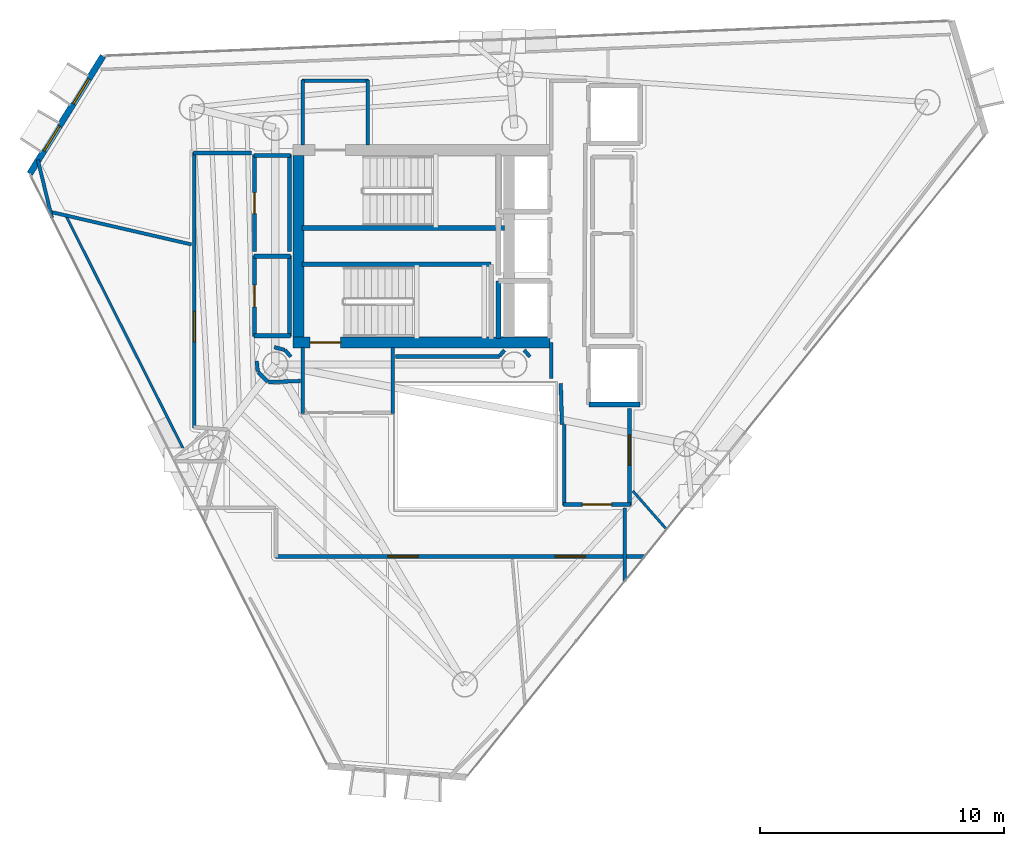
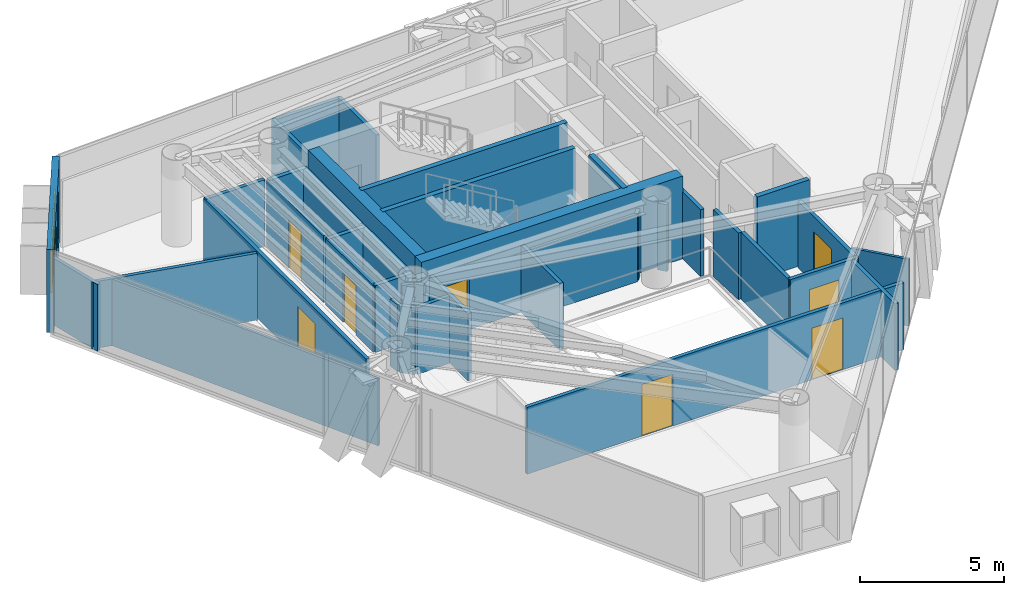
# One storey, part 15 of 19: 40 walls, 8 doors, 2 windows, 10 openings.
"""IFC4 building model written with IfcOpenShell, lengths in metres."""

from ifc_helpers import new_model, si_unit, direction, frame, frame_2d, origin, place, context, subcontext, project, spatial, rectangle, extrude, material, layer, layer_set, type_object, element, fill, save


model = new_model("IFC4")

# Units and contexts
model_context = context("Model", 3, precision=1e-05, world=origin(), true_north=direction((0.0, 1.0)))
body_context = subcontext(model_context, "Body", "Model", "MODEL_VIEW")
ifc_project = project(units=[si_unit("LENGTHUNIT", "METRE"), si_unit("AREAUNIT", "SQUARE_METRE"), si_unit("VOLUMEUNIT", "CUBIC_METRE"), si_unit("PLANEANGLEUNIT", "RADIAN"), si_unit("MASSUNIT", "GRAM", prefix="KILO")], contexts=[model_context])

# Site, building, storey
site_placement = place(None, origin())
site = spatial("IfcSite", under=ifc_project, at=site_placement, CompositionType="ELEMENT")
building_placement = place(site_placement, origin())
building = spatial("IfcBuilding", under=site, at=building_placement, Name="Qianvela Tower", CompositionType="ELEMENT")
storey_placement = place(building_placement, frame((0.0, 0.0, 261.199951171875)))
storey = spatial("IfcBuildingStorey", under=building, at=storey_placement, Name="L67", CompositionType="ELEMENT", Elevation=261.199951171875)

# Wall, openings, windows
ifc_material_1 = material(Name="Terracotta Cladding on Concrete C40", Category="masonry")
ifc_layer_1 = layer(ifc_material_1, 0.260009765625)
ifc_layer_set_1 = layer_set([ifc_layer_1], Name="Terracotta Cladding on Concrete C40")
wall_type_1 = type_object("IfcWallType", Name="TERRACOTTA-WALL-260", PredefinedType="SOLIDWALL", material=ifc_layer_set_1)
wall_1_placement = place(storey_placement, frame((21.539306640625, 36.49755859375, 0.0), z_axis=(0.0, 0.0, 1.0), x_axis=(-0.528341791273, -0.849031773018, 0.0)))
wall_1 = element("IfcWall", 1, at=wall_1_placement, inside=storey, type_object=wall_type_1, Name="L67 Terracotta Chamfer Facet Wall 3", PredefinedType="SOLIDWALL", context=body_context, shape_type="SweptSolid", body=[
    extrude(rectangle(XDim=5.6845703125, YDim=0.260009765625, at=frame_2d((2.84228515625, 0.0))), origin(), (0.0, 0.0, 1.0), 3.52001953125),
])
opening_1_placement = place(wall_1_placement, frame((1.10546875, 0.0, 0.89990234375)))
opening_1 = element("IfcOpeningElement", 2, at=opening_1_placement, cuts=wall_1, Name="Opening W-03", PredefinedType="OPENING", context=body_context, shape_type="SweptSolid", body=[
    extrude(rectangle(XDim=1.199951171875, YDim=2.0, at=frame_2d((0.60009765625, 1.0))), frame((0.0, 0.139892578125, 0.0), z_axis=(0.0, -1.0, 0.0), x_axis=(1.0, 0.0, 0.0)), (0.0, 0.0, 1.0), 0.280029296875),
])
opening_2_placement = place(wall_1_placement, frame((3.37939453125, 0.0, 0.89990234375)))
opening_2 = element("IfcOpeningElement", 3, at=opening_2_placement, cuts=wall_1, Name="Opening W-03", PredefinedType="OPENING", context=body_context, shape_type="SweptSolid", body=[
    extrude(rectangle(XDim=1.199951171875, YDim=2.0, at=frame_2d((0.60009765625, 1.0))), frame((0.0, 0.139892578125, 0.0), z_axis=(0.0, -1.0, 0.0), x_axis=(1.0, 0.0, 0.0)), (0.0, 0.0, 1.0), 0.280029296875),
])
ifc_material_2 = material(Name="Thermally Broken Aluminium and Low-E Glass", Category="aluminium")
window_type = type_object("IfcWindowType", Name="WIN-TC-1200x2000", PartitioningType="SINGLE_PANEL", PredefinedType="WINDOW", material=ifc_material_2)
window_1_placement = place(opening_1_placement, origin())
window_1 = element("IfcWindow", 4, at=window_1_placement, inside=storey, type_object=window_type, Name="L67 Chamfer Facet Window 3.1", OverallHeight=2.0, OverallWidth=1.199951171875, PartitioningType="SINGLE_PANEL", PredefinedType="WINDOW", context=body_context, shape_type="SweptSolid", body=[
    extrude(rectangle(XDim=1.199951171875, YDim=2.0, at=frame_2d((0.60009765625, 1.0))), frame((0.0, 0.030029296875, 0.0), z_axis=(0.0, -1.0, 0.0), x_axis=(1.0, 0.0, 0.0)), (0.0, 0.0, 1.0), 0.06005859375),
])
fill(opening_1, window_1)
window_2_placement = place(opening_2_placement, origin())
window_2 = element("IfcWindow", 5, at=window_2_placement, inside=storey, type_object=window_type, Name="L67 Chamfer Facet Window 3.2", OverallHeight=2.0, OverallWidth=1.199951171875, PartitioningType="SINGLE_PANEL", PredefinedType="WINDOW", context=body_context, shape_type="SweptSolid", body=[
    extrude(rectangle(XDim=1.199951171875, YDim=2.0, at=frame_2d((0.60009765625, 1.0))), frame((0.0, 0.030029296875, 0.0), z_axis=(0.0, -1.0, 0.0), x_axis=(1.0, 0.0, 0.0)), (0.0, 0.0, 1.0), 0.06005859375),
])
fill(opening_2, window_2)

# Wall, opening, door
ifc_material_3 = material(Name="Concrete C50", Category="concrete")
ifc_layer_2 = layer(ifc_material_3, 0.449951171875)
ifc_layer_set_2 = layer_set([ifc_layer_2], Name="Concrete C50")
wall_type_2 = type_object("IfcWallType", Name="WT-CORE-450", PredefinedType="SHEAR", material=ifc_layer_set_2)
wall_2_placement = place(storey_placement, frame((29.330078125, 24.7548828125, 0.0), z_axis=(0.0, 0.0, 1.0), x_axis=(1.0, 0.0, 0.0)))
wall_2 = element("IfcWall", 6, at=wall_2_placement, inside=storey, type_object=wall_type_2, Name="L67 South Core Shear Wall", PredefinedType="SHEAR", context=body_context, shape_type="SweptSolid", body=[
    extrude(rectangle(XDim=10.52001953125, YDim=0.449951171875, at=frame_2d((5.260009765625, 0.0))), origin(), (0.0, 0.0, 1.0), 3.52001953125),
])
opening_3_placement = place(wall_2_placement, frame((0.695068359375, 0.0, 0.0)))
opening_3 = element("IfcOpeningElement", 7, at=opening_3_placement, cuts=wall_2, Name="Opening D-ST1", PredefinedType="OPENING", context=body_context, shape_type="SweptSolid", body=[
    extrude(rectangle(XDim=1.25, YDim=2.14990234375, at=frame_2d((0.625, 1.074951171875))), frame((0.0, 0.23486328125, 0.0), z_axis=(0.0, -1.0, 0.0), x_axis=(1.0, 0.0, 0.0)), (0.0, 0.0, 1.0), 0.469970703125),
])
ifc_material_4 = material(Name="Galvanised Fire Steel Q355B", Category="steel")
door_type_1 = type_object("IfcDoorType", Name="DT-STAIR-FD90", OperationType="NOTDEFINED", PredefinedType="DOOR", material=ifc_material_4)
door_1_placement = place(opening_3_placement, origin())
door_1 = element("IfcDoor", 8, at=door_1_placement, inside=storey, type_object=door_type_1, Name="L67 Stair ST-2 Exit Door", OperationType="SINGLE_SWING_LEFT", OverallHeight=2.14990234375, OverallWidth=1.25, PredefinedType="DOOR", context=body_context, shape_type="SweptSolid", body=[
    extrude(rectangle(XDim=1.25, YDim=2.14990234375, at=frame_2d((0.625, 1.074951171875))), frame((0.0, 0.02490234375, 0.0), z_axis=(0.0, -1.0, 0.0), x_axis=(1.0, 0.0, 0.0)), (0.0, 0.0, 1.0), 0.050048828125),
])
fill(opening_3, door_1)

# Walls
wall_3_placement = place(storey_placement, frame((29.554931640625, 24.97998046875, 0.0), z_axis=(0.0, 0.0, 1.0), x_axis=(0.0, 1.0, 0.0)))
element("IfcWall", 9, at=wall_3_placement, inside=storey, type_object=wall_type_2, Name="L67 West Core Shear Wall", PredefinedType="SHEAR", context=body_context, shape_type="SweptSolid", body=[
    extrude(rectangle(XDim=7.43994140625, YDim=0.449951171875, at=frame_2d((3.719970703125, 0.0))), origin(), (0.0, 0.0, 1.0), 3.52001953125),
])
ifc_material_5 = material(Name="Fire-Rated Acoustic Gypsum Board")
ifc_layer_3 = layer(ifc_material_5, 0.14990234375)
ifc_layer_set_3 = layer_set([ifc_layer_3], Name="Fire-Rated Acoustic Gypsum Board")
wall_type_3 = type_object("IfcWallType", Name="WT-CORR-150", PredefinedType="PARTITIONING", material=ifc_layer_set_3)
wall_4_placement = place(storey_placement, frame((29.73095703125, 32.85791015625, 0.0), z_axis=(0.0, 0.0, 1.0), x_axis=(0.0, 1.0, 0.0)))
element("IfcWall", 10, at=wall_4_placement, inside=storey, type_object=wall_type_3, Name="L67 Partition 2", PredefinedType="PARTITIONING", context=body_context, shape_type="SweptSolid", body=[
    extrude(rectangle(XDim=2.662109375, YDim=0.14990234375, at=frame_2d((1.3310546875, 0.0))), origin(), (0.0, 0.0, 1.0), 2.840087890625),
])
wall_5_placement = place(storey_placement, frame((29.699951171875, 35.489013671875, 0.0), z_axis=(0.0, 0.0, 1.0), x_axis=(1.0, 0.0, 0.0)))
element("IfcWall", 11, at=wall_5_placement, inside=storey, type_object=wall_type_3, Name="L67 Partition 3", PredefinedType="PARTITIONING", context=body_context, shape_type="SweptSolid", body=[
    extrude(rectangle(XDim=2.719970703125, YDim=0.14990234375, at=frame_2d((1.35986328125, 0.0))), origin(), (0.0, 0.0, 1.0), 2.840087890625),
])
wall_6_placement = place(storey_placement, frame((32.388916015625, 35.52001953125, 0.0), z_axis=(0.0, 0.0, 1.0), x_axis=(0.0, -1.0, 0.0)))
element("IfcWall", 12, at=wall_6_placement, inside=storey, type_object=wall_type_3, Name="L67 Partition 4", PredefinedType="PARTITIONING", context=body_context, shape_type="SweptSolid", body=[
    extrude(rectangle(XDim=2.662109375, YDim=0.14990234375, at=frame_2d((1.3310546875, 0.0))), origin(), (0.0, 0.0, 1.0), 2.840087890625),
])
for number, where, z_axis, x_axis, name in (
    (13, (29.73095703125, 21.85009765625, 0.0), (0.0, 0.0, 1.0), (0.0, 1.0, 0.0), "L67 Partition 6"),
    (14, (33.4189453125, 24.5419921875, 0.0), (0.0, 0.0, 1.0), (0.0, -1.0, 0.0), "L67 Partition 8"),
):
    element("IfcWall", number, at=place(storey_placement, frame(where, z_axis=z_axis, x_axis=x_axis)), inside=storey, type_object=wall_type_3, Name=name, PredefinedType="PARTITIONING", context=body_context, shape_type="SweptSolid", body=[
        extrude(rectangle(XDim=2.69189453125, YDim=0.14990234375, at=frame_2d((1.345947265625, 0.0))), origin(), (0.0, 0.0, 1.0), 2.840087890625),
    ])
wall_7_placement = place(storey_placement, frame((40.35107421875, 21.40087890625, 0.0), z_axis=(0.0, 0.0, 1.0), x_axis=(-0.031058045979, 0.999517582527, 0.0)))
element("IfcWall", 15, at=wall_7_placement, inside=storey, type_object=wall_type_3, Name="L67 Partition 9", PredefinedType="PARTITIONING", context=body_context, shape_type="SweptSolid", body=[
    extrude(rectangle(XDim=1.68212890625, YDim=0.14990234375, at=frame_2d((0.841064453125, 0.0))), origin(), (0.0, 0.0, 1.0), 2.840087890625),
])
wall_8_placement = place(storey_placement, frame((39.910888671875, 23.280029296875, 0.0), z_axis=(0.0, 0.0, 1.0), x_axis=(0.0, 1.0, 0.0)))
element("IfcWall", 16, at=wall_8_placement, inside=storey, type_object=wall_type_3, Name="L67 Partition 10", PredefinedType="PARTITIONING", context=body_context, shape_type="SweptSolid", body=[
    extrude(rectangle(XDim=1.47998046875, YDim=0.14990234375, at=frame_2d((0.739990234375, 0.0))), origin(), (0.0, 0.0, 1.0), 2.840087890625),
])

# Wall, opening, door
wall_9_placement = place(storey_placement, frame((43.118896484375, 22.050048828125, 0.0), z_axis=(0.0, 0.0, 1.0), x_axis=(0.0, -1.0, 0.0)))
wall_9 = element("IfcWall", 17, at=wall_9_placement, inside=storey, type_object=wall_type_3, Name="L67 Partition 16", PredefinedType="PARTITIONING", context=body_context, shape_type="SweptSolid", body=[
    extrude(rectangle(XDim=3.969970703125, YDim=0.14990234375, at=frame_2d((1.98486328125, 0.0))), origin(), (0.0, 0.0, 1.0), 2.840087890625),
])
opening_4_placement = place(wall_9_placement, frame((1.080078125, 0.0, 0.0)))
opening_4 = element("IfcOpeningElement", 18, at=opening_4_placement, cuts=wall_9, Name="Opening D-LG1", PredefinedType="OPENING", context=body_context, shape_type="SweptSolid", body=[
    extrude(rectangle(XDim=1.25, YDim=2.199951171875, at=frame_2d((0.625, 1.10009765625))), frame((0.0, 0.0849609375, 0.0), z_axis=(0.0, -1.0, 0.0), x_axis=(1.0, 0.0, 0.0)), (0.0, 0.0, 1.0), 0.169921875),
])
ifc_material_6 = material(Name="Anodised Aluminium Acoustic Glass Door", Category="aluminium")
door_type_2 = type_object("IfcDoorType", Name="DT-LOUNGE-1250", OperationType="NOTDEFINED", PredefinedType="DOOR", material=ifc_material_6)
door_2_placement = place(opening_4_placement, origin())
door_2 = element("IfcDoor", 19, at=door_2_placement, inside=storey, type_object=door_type_2, Name="L67 Door Stationery Supply Boutique L67-04 to L67 Lift Lobby", OperationType="SINGLE_SWING_LEFT", OverallHeight=2.199951171875, OverallWidth=1.25, PredefinedType="DOOR", context=body_context, shape_type="SweptSolid", body=[
    extrude(rectangle(XDim=1.25, YDim=2.199951171875, at=frame_2d((0.625, 1.10009765625))), frame((0.0, 0.02490234375, 0.0), z_axis=(0.0, -1.0, 0.0), x_axis=(1.0, 0.0, 0.0)), (0.0, 0.0, 1.0), 0.050048828125),
])
fill(opening_4, door_2)

wall_10_placement = place(storey_placement, frame((43.14990234375, 18.111083984375, 0.0), z_axis=(0.0, 0.0, 1.0), x_axis=(-1.0, 0.0, 0.0)))
wall_10 = element("IfcWall", 20, at=wall_10_placement, inside=storey, type_object=wall_type_3, Name="L67 Partition 17", PredefinedType="PARTITIONING", context=body_context, shape_type="SweptSolid", body=[
    extrude(rectangle(XDim=2.72998046875, YDim=0.14990234375, at=frame_2d((1.364990234375, 0.0))), origin(), (0.0, 0.0, 1.0), 2.840087890625),
])
opening_5_placement = place(wall_10_placement, frame((0.764892578125, 0.0, 0.0)))
opening_5 = element("IfcOpeningElement", 21, at=opening_5_placement, cuts=wall_10, Name="Opening D-LB1", PredefinedType="OPENING", context=body_context, shape_type="SweptSolid", body=[
    extrude(rectangle(XDim=1.199951171875, YDim=2.14990234375, at=frame_2d((0.60009765625, 1.074951171875))), frame((0.0, 0.0849609375, 0.0), z_axis=(0.0, -1.0, 0.0), x_axis=(1.0, 0.0, 0.0)), (0.0, 0.0, 1.0), 0.169921875),
])
ifc_material_7 = material(Name="Glazed Fire-Rated Steel Frame", Category="steel")
door_type_3 = type_object("IfcDoorType", Name="DT-LOBBY-FD90", OperationType="NOTDEFINED", PredefinedType="DOOR", material=ifc_material_7)
door_3_placement = place(opening_5_placement, origin())
door_3 = element("IfcDoor", 22, at=door_3_placement, inside=storey, type_object=door_type_3, Name="L67 Door L67 Lift Lobby to L67 Floor Corridor", OperationType="SINGLE_SWING_RIGHT", OverallHeight=2.14990234375, OverallWidth=1.199951171875, PredefinedType="DOOR", context=body_context, shape_type="SweptSolid", body=[
    extrude(rectangle(XDim=1.199951171875, YDim=2.14990234375, at=frame_2d((0.60009765625, 1.074951171875))), frame((0.0, 0.02490234375, 0.0), z_axis=(0.0, -1.0, 0.0), x_axis=(1.0, 0.0, 0.0)), (0.0, 0.0, 1.0), 0.050048828125),
])
fill(opening_5, door_3)

# Walls
wall_11_placement = place(storey_placement, frame((40.450927734375, 18.080078125, 0.0), z_axis=(0.0, 0.0, 1.0), x_axis=(0.0, 1.0, 0.0)))
element("IfcWall", 23, at=wall_11_placement, inside=storey, type_object=wall_type_3, Name="L67 Partition 18 seg 1", PredefinedType="PARTITIONING", context=body_context, shape_type="SweptSolid", body=[
    extrude(rectangle(XDim=3.31982421875, YDim=0.14990234375, at=frame_2d((1.659912109375, 0.0))), origin(), (0.0, 0.0, 1.0), 2.840087890625),
])
wall_12_placement = place(storey_placement, frame((29.236083984375, 24.170166015625, 0.0), z_axis=(0.0, 0.0, 1.0), x_axis=(-0.652260263346, 0.757995084984, 0.0)))
element("IfcWall", 24, at=wall_12_placement, inside=storey, type_object=wall_type_3, Name="L67 Partition 39", PredefinedType="PARTITIONING", context=body_context, shape_type="SweptSolid", body=[
    extrude(rectangle(XDim=0.35546875, YDim=0.14990234375, at=frame_2d((0.177734375, 0.0))), origin(), (0.0, 0.0, 1.0), 2.840087890625),
])
wall_13_placement = place(storey_placement, frame((28.98828125, 24.44970703125, 0.0), z_axis=(0.0, 0.0, 1.0), x_axis=(-0.968704505916, 0.248216800836, 0.0)))
element("IfcWall", 25, at=wall_13_placement, inside=storey, type_object=wall_type_3, Name="L67 Partition 40", PredefinedType="PARTITIONING", context=body_context, shape_type="SweptSolid", body=[
    extrude(rectangle(XDim=0.444580078125, YDim=0.14990234375, at=frame_2d((0.22216796875, 0.0))), origin(), (0.0, 0.0, 1.0), 2.840087890625),
])
wall_14_placement = place(storey_placement, frame((39.0361328125, 24.170166015625, 0.0), z_axis=(0.0, 0.0, 1.0), x_axis=(-0.652260263346, 0.757995084984, 0.0)))
element("IfcWall", 26, at=wall_14_placement, inside=storey, type_object=wall_type_3, Name="L67 Partition 49", PredefinedType="PARTITIONING", context=body_context, shape_type="SweptSolid", body=[
    extrude(rectangle(XDim=0.35546875, YDim=0.14990234375, at=frame_2d((0.177734375, 0.0))), origin(), (0.0, 0.0, 1.0), 2.840087890625),
])
wall_15_placement = place(storey_placement, frame((37.995849609375, 24.439697265625, 0.0), z_axis=(0.0, 0.0, 1.0), x_axis=(-0.652425645794, -0.757852740782, 0.0)))
element("IfcWall", 27, at=wall_15_placement, inside=storey, type_object=wall_type_3, Name="L67 Partition 52", PredefinedType="PARTITIONING", context=body_context, shape_type="SweptSolid", body=[
    extrude(rectangle(XDim=0.319580078125, YDim=0.14990234375, at=frame_2d((0.15966796875, 0.0))), origin(), (0.0, 0.0, 1.0), 2.840087890625),
])
wall_16_placement = place(storey_placement, frame((37.787353515625, 24.180908203125, 0.0), z_axis=(0.0, 0.0, 1.0), x_axis=(-1.0, 0.0, 0.0)))
element("IfcWall", 28, at=wall_16_placement, inside=storey, type_object=wall_type_3, Name="L67 Partition 53", PredefinedType="PARTITIONING", context=body_context, shape_type="SweptSolid", body=[
    extrude(rectangle(XDim=4.25732421875, YDim=0.14990234375, at=frame_2d((2.128662109375, 0.0))), origin(), (0.0, 0.0, 1.0), 2.840087890625),
])
wall_17_placement = place(storey_placement, frame((27.83837890625, 23.9921875, 0.0), z_axis=(0.0, 0.0, 1.0), x_axis=(0.098273407977, -0.995159453196, 0.0)))
element("IfcWall", 29, at=wall_17_placement, inside=storey, type_object=wall_type_3, Name="L67 Partition 54", PredefinedType="PARTITIONING", context=body_context, shape_type="SweptSolid", body=[
    extrude(rectangle(XDim=0.432373046875, YDim=0.14990234375, at=frame_2d((0.21630859375, 0.0))), origin(), (0.0, 0.0, 1.0), 2.840087890625),
])
wall_18_placement = place(storey_placement, frame((27.889892578125, 23.54296875, 0.0), z_axis=(0.0, 0.0, 1.0), x_axis=(0.707106781187, -0.707106781187, 0.0)))
element("IfcWall", 30, at=wall_18_placement, inside=storey, type_object=wall_type_3, Name="L67 Partition 55", PredefinedType="PARTITIONING", context=body_context, shape_type="SweptSolid", body=[
    extrude(rectangle(XDim=0.570068359375, YDim=0.14990234375, at=frame_2d((0.28515625, 0.0))), origin(), (0.0, 0.0, 1.0), 2.840087890625),
])
wall_19_placement = place(storey_placement, frame((28.31591796875, 23.130615234375, 0.0), z_axis=(0.0, 0.0, 1.0), x_axis=(0.999405342193, 0.034481328227, 0.0)))
element("IfcWall", 31, at=wall_19_placement, inside=storey, type_object=wall_type_3, Name="L67 Partition 56", PredefinedType="PARTITIONING", context=body_context, shape_type="SweptSolid", body=[
    extrude(rectangle(XDim=1.323974609375, YDim=0.14990234375, at=frame_2d((0.662109375, 0.0))), origin(), (0.0, 0.0, 1.0), 2.840087890625),
])
wall_20_placement = place(storey_placement, frame((42.9189453125, 17.97998046875, 0.0), z_axis=(0.0, 0.0, 1.0), x_axis=(0.0, -1.0, 0.0)))
element("IfcWall", 32, at=wall_20_placement, inside=storey, type_object=wall_type_3, Name="L67 Partition 60", PredefinedType="PARTITIONING", context=body_context, shape_type="SweptSolid", body=[
    extrude(rectangle(XDim=3.032470703125, YDim=0.14990234375, at=frame_2d((1.51611328125, 0.0))), origin(), (0.0, 0.0, 1.0), 2.840087890625),
])

# Wall, openings, doors
wall_21_placement = place(storey_placement, frame((43.7578125, 15.98095703125, 0.0), z_axis=(0.0, 0.0, 1.0), x_axis=(-1.0, 0.0, 0.0)))
wall_21 = element("IfcWall", 33, at=wall_21_placement, inside=storey, type_object=wall_type_3, Name="L67 Partition 61", PredefinedType="PARTITIONING", context=body_context, shape_type="SweptSolid", body=[
    extrude(rectangle(XDim=15.15771484375, YDim=0.14990234375, at=frame_2d((7.578857421875, 0.0))), origin(), (0.0, 0.0, 1.0), 2.840087890625),
])
opening_6_placement = place(wall_21_placement, frame((9.290283203125, 0.0, 0.0)))
opening_6 = element("IfcOpeningElement", 34, at=opening_6_placement, cuts=wall_21, Name="Opening D-LG1", PredefinedType="OPENING", context=body_context, shape_type="SweptSolid", body=[
    extrude(rectangle(XDim=1.25, YDim=2.199951171875, at=frame_2d((0.625, 1.10009765625))), frame((0.0, 0.0849609375, 0.0), z_axis=(0.0, -1.0, 0.0), x_axis=(1.0, 0.0, 0.0)), (0.0, 0.0, 1.0), 0.169921875),
])
opening_7_placement = place(wall_21_placement, frame((2.43896484375, 0.0, 0.0)))
opening_7 = element("IfcOpeningElement", 35, at=opening_7_placement, cuts=wall_21, Name="Opening D-LG1", PredefinedType="OPENING", context=body_context, shape_type="SweptSolid", body=[
    extrude(rectangle(XDim=1.25, YDim=2.199951171875, at=frame_2d((0.625, 1.10009765625))), frame((0.0, 0.0849609375, 0.0), z_axis=(0.0, -1.0, 0.0), x_axis=(1.0, 0.0, 0.0)), (0.0, 0.0, 1.0), 0.169921875),
])
door_4_placement = place(opening_6_placement, origin())
door_4 = element("IfcDoor", 36, at=door_4_placement, inside=storey, type_object=door_type_2, Name="L67 Door Debate Lecture Classroom L67-02 to L67 Floor Corridor", OperationType="SINGLE_SWING_LEFT", OverallHeight=2.199951171875, OverallWidth=1.25, PredefinedType="DOOR", context=body_context, shape_type="SweptSolid", body=[
    extrude(rectangle(XDim=1.25, YDim=2.199951171875, at=frame_2d((0.625, 1.10009765625))), frame((0.0, 0.02490234375, 0.0), z_axis=(0.0, -1.0, 0.0), x_axis=(1.0, 0.0, 0.0)), (0.0, 0.0, 1.0), 0.050048828125),
])
fill(opening_6, door_4)
door_5_placement = place(opening_7_placement, origin())
door_5 = element("IfcDoor", 37, at=door_5_placement, inside=storey, type_object=door_type_2, Name="L67 Door Graduate Seminar Classroom L67-03 to L67 Floor Corridor", OperationType="SINGLE_SWING_RIGHT", OverallHeight=2.199951171875, OverallWidth=1.25, PredefinedType="DOOR", context=body_context, shape_type="SweptSolid", body=[
    extrude(rectangle(XDim=1.25, YDim=2.199951171875, at=frame_2d((0.625, 1.10009765625))), frame((0.0, 0.02490234375, 0.0), z_axis=(0.0, -1.0, 0.0), x_axis=(1.0, 0.0, 0.0)), (0.0, 0.0, 1.0), 0.050048828125),
])
fill(opening_7, door_5)

# Wall, opening, door
wall_22_placement = place(storey_placement, frame((25.281005859375, 21.253173828125, 0.0), z_axis=(0.0, 0.0, 1.0), x_axis=(0.0, 1.0, 0.0)))
wall_22 = element("IfcWall", 38, at=wall_22_placement, inside=storey, type_object=wall_type_3, Name="L67 Partition 66", PredefinedType="PARTITIONING", context=body_context, shape_type="SweptSolid", body=[
    extrude(rectangle(XDim=11.296875, YDim=0.14990234375, at=frame_2d((5.6484375, 0.0))), origin(), (0.0, 0.0, 1.0), 2.840087890625),
])
opening_8_placement = place(wall_22_placement, frame((3.522216796875, 0.0, 0.0)))
opening_8 = element("IfcOpeningElement", 39, at=opening_8_placement, cuts=wall_22, Name="Opening D-LG1", PredefinedType="OPENING", context=body_context, shape_type="SweptSolid", body=[
    extrude(rectangle(XDim=1.25, YDim=2.199951171875, at=frame_2d((0.625, 1.10009765625))), frame((0.0, 0.0849609375, 0.0), z_axis=(0.0, -1.0, 0.0), x_axis=(1.0, 0.0, 0.0)), (0.0, 0.0, 1.0), 0.169921875),
])
door_6_placement = place(opening_8_placement, origin())
door_6 = element("IfcDoor", 40, at=door_6_placement, inside=storey, type_object=door_type_2, Name="L67 Door Project Huddle Conference L67-01 to L67 Floor Corridor", OperationType="SINGLE_SWING_RIGHT", OverallHeight=2.199951171875, OverallWidth=1.25, PredefinedType="DOOR", context=body_context, shape_type="SweptSolid", body=[
    extrude(rectangle(XDim=1.25, YDim=2.199951171875, at=frame_2d((0.625, 1.10009765625))), frame((0.0, 0.02490234375, 0.0), z_axis=(0.0, -1.0, 0.0), x_axis=(1.0, 0.0, 0.0)), (0.0, 0.0, 1.0), 0.050048828125),
])
fill(opening_8, door_6)

# Walls
wall_23_placement = place(storey_placement, frame((25.25, 32.51904296875, 0.0), z_axis=(0.0, 0.0, 1.0), x_axis=(1.0, 0.0, 0.0)))
element("IfcWall", 41, at=wall_23_placement, inside=storey, type_object=wall_type_3, Name="L67 Partition 67", PredefinedType="PARTITIONING", context=body_context, shape_type="SweptSolid", body=[
    extrude(rectangle(XDim=2.3701171875, YDim=0.14990234375, at=frame_2d((1.18505859375, 0.0))), origin(), (0.0, 0.0, 1.0), 2.840087890625),
])
ifc_material_8 = material(Name="Lightweight Gypsum Room Partition")
ifc_layer_4 = layer(ifc_material_8, 0.10498046875)
ifc_layer_set_4 = layer_set([ifc_layer_4], Name="Lightweight Gypsum Room Partition")
wall_type_4 = type_object("IfcWallType", Name="WT-PART-105", PredefinedType="PARTITIONING", material=ifc_layer_set_4)
wall_24_placement = place(storey_placement, frame((25.02099609375, 20.01318359375, 0.0), z_axis=(0.0, 0.0, 1.0), x_axis=(-0.449626242434, 0.893216794577, 0.0)))
element("IfcWall", 42, at=wall_24_placement, inside=storey, type_object=wall_type_4, Name="L67 Partition 72", PredefinedType="PARTITIONING", context=body_context, shape_type="SweptSolid", body=[
    extrude(rectangle(XDim=11.20458984375, YDim=0.10498046875, at=frame_2d((5.602294921875, 0.0))), origin(), (0.0, 0.0, 1.0), 2.840087890625),
])
wall_25_placement = place(storey_placement, frame((44.650390625, 17.079833984375, 0.0), z_axis=(0.0, 0.0, 1.0), x_axis=(-0.659728126863, 0.751504357024, 0.0)))
element("IfcWall", 43, at=wall_25_placement, inside=storey, type_object=wall_type_4, Name="L67 Partition 105", PredefinedType="PARTITIONING", context=body_context, shape_type="SweptSolid", body=[
    extrude(rectangle(XDim=2.117431640625, YDim=0.10498046875, at=frame_2d((1.05859375, 0.0))), origin(), (0.0, 0.0, 1.0), 2.840087890625),
])

# Wall, opening, door
ifc_material_9 = material(Name="Sanitary Service Chase Partition")
ifc_layer_5 = layer(ifc_material_9, 0.1650390625)
ifc_layer_set_5 = layer_set([ifc_layer_5], Name="Sanitary Service Chase Partition")
wall_type_5 = type_object("IfcWallType", Name="WT-PLUMB-165", PredefinedType="PLUMBINGWALL", material=ifc_layer_set_5)
wall_26_placement = place(storey_placement, frame((27.7509765625, 25.0, 0.0), z_axis=(0.0, 0.0, 1.0), x_axis=(0.0, 1.0, 0.0)))
wall_26 = element("IfcWall", 44, at=wall_26_placement, inside=storey, type_object=wall_type_5, Name="L67 Partition 27", PredefinedType="PLUMBINGWALL", context=body_context, shape_type="SweptSolid", body=[
    extrude(rectangle(XDim=3.320068359375, YDim=0.1650390625, at=frame_2d((1.66015625, 0.0))), origin(), (0.0, 0.0, 1.0), 2.840087890625),
])
opening_9_placement = place(wall_26_placement, frame((1.2099609375, 0.0, 0.0)))
opening_9 = element("IfcOpeningElement", 45, at=opening_9_placement, cuts=wall_26, Name="Opening D-KT1", PredefinedType="OPENING", context=body_context, shape_type="SweptSolid", body=[
    extrude(rectangle(XDim=0.89990234375, YDim=2.10009765625, at=frame_2d((0.449951171875, 1.050048828125))), frame((0.0, 0.092529296875, 0.0), z_axis=(0.0, -1.0, 0.0), x_axis=(1.0, 0.0, 0.0)), (0.0, 0.0, 1.0), 0.18505859375),
])
ifc_material_10 = material(Name="Glazed Timber Kitchen Door", Category="wood")
door_type_4 = type_object("IfcDoorType", Name="DT-KITCH-900", OperationType="NOTDEFINED", PredefinedType="DOOR", material=ifc_material_10)
door_7_placement = place(opening_9_placement, origin())
door_7 = element("IfcDoor", 46, at=door_7_placement, inside=storey, type_object=door_type_4, Name="L67 Door L67 Core Tea Pantry West to L67 Floor Corridor", OperationType="SINGLE_SWING_LEFT", OverallHeight=2.10009765625, OverallWidth=0.89990234375, PredefinedType="DOOR", context=body_context, shape_type="SweptSolid", body=[
    extrude(rectangle(XDim=0.89990234375, YDim=2.10009765625, at=frame_2d((0.449951171875, 1.050048828125))), frame((0.0, 0.02490234375, 0.0), z_axis=(0.0, -1.0, 0.0), x_axis=(1.0, 0.0, 0.0)), (0.0, 0.0, 1.0), 0.050048828125),
])
fill(opening_9, door_7)

# Walls
wall_27_placement = place(storey_placement, frame((27.719970703125, 28.2890625, 0.0), z_axis=(0.0, 0.0, 1.0), x_axis=(1.0, 0.0, 0.0)))
element("IfcWall", 47, at=wall_27_placement, inside=storey, type_object=wall_type_5, Name="L67 Partition 28", PredefinedType="PLUMBINGWALL", context=body_context, shape_type="SweptSolid", body=[
    extrude(rectangle(XDim=1.5, YDim=0.1650390625, at=frame_2d((0.75, 0.0))), origin(), (0.0, 0.0, 1.0), 2.840087890625),
])
wall_28_placement = place(storey_placement, frame((29.18896484375, 28.320068359375, 0.0), z_axis=(0.0, 0.0, 1.0), x_axis=(0.0, -1.0, 0.0)))
element("IfcWall", 48, at=wall_28_placement, inside=storey, type_object=wall_type_5, Name="L67 Partition 29", PredefinedType="PLUMBINGWALL", context=body_context, shape_type="SweptSolid", body=[
    extrude(rectangle(XDim=3.320068359375, YDim=0.1650390625, at=frame_2d((1.66015625, 0.0))), origin(), (0.0, 0.0, 1.0), 2.840087890625),
])
wall_29_placement = place(storey_placement, frame((29.219970703125, 25.031005859375, 0.0), z_axis=(0.0, 0.0, 1.0), x_axis=(-1.0, 0.0, 0.0)))
element("IfcWall", 49, at=wall_29_placement, inside=storey, type_object=wall_type_5, Name="L67 Partition 30", PredefinedType="PLUMBINGWALL", context=body_context, shape_type="SweptSolid", body=[
    extrude(rectangle(XDim=1.5, YDim=0.1650390625, at=frame_2d((0.75, 0.0))), origin(), (0.0, 0.0, 1.0), 2.840087890625),
])

# Wall, opening, door
wall_30_placement = place(storey_placement, frame((27.7509765625, 28.47998046875, 0.0), z_axis=(0.0, 0.0, 1.0), x_axis=(0.0, 1.0, 0.0)))
wall_30 = element("IfcWall", 50, at=wall_30_placement, inside=storey, type_object=wall_type_5, Name="L67 Partition 31", PredefinedType="PLUMBINGWALL", context=body_context, shape_type="SweptSolid", body=[
    extrude(rectangle(XDim=3.969970703125, YDim=0.1650390625, at=frame_2d((1.98486328125, 0.0))), origin(), (0.0, 0.0, 1.0), 2.840087890625),
])
opening_10_placement = place(wall_30_placement, frame((1.554931640625, 0.0, 0.0)))
opening_10 = element("IfcOpeningElement", 51, at=opening_10_placement, cuts=wall_30, Name="Opening D-WC1", PredefinedType="OPENING", context=body_context, shape_type="SweptSolid", body=[
    extrude(rectangle(XDim=0.860107421875, YDim=2.050048828125, at=frame_2d((0.43017578125, 1.02490234375))), frame((0.0, 0.092529296875, 0.0), z_axis=(0.0, -1.0, 0.0), x_axis=(1.0, 0.0, 0.0)), (0.0, 0.0, 1.0), 0.18505859375),
])
ifc_material_11 = material(Name="Moisture-Sealed Acoustic Timber Door", Category="wood")
door_type_5 = type_object("IfcDoorType", Name="DT-WC-860", OperationType="NOTDEFINED", PredefinedType="DOOR", material=ifc_material_11)
door_8_placement = place(opening_10_placement, origin())
door_8 = element("IfcDoor", 52, at=door_8_placement, inside=storey, type_object=door_type_5, Name="L67 Door L67 Accessible WC to L67 Floor Corridor", OperationType="SINGLE_SWING_RIGHT", OverallHeight=2.050048828125, OverallWidth=0.860107421875, PredefinedType="DOOR", context=body_context, shape_type="SweptSolid", body=[
    extrude(rectangle(XDim=0.860107421875, YDim=2.050048828125, at=frame_2d((0.43017578125, 1.02490234375))), frame((0.0, 0.02490234375, 0.0), z_axis=(0.0, -1.0, 0.0), x_axis=(1.0, 0.0, 0.0)), (0.0, 0.0, 1.0), 0.050048828125),
])
fill(opening_10, door_8)

# Walls
wall_31_placement = place(storey_placement, frame((27.719970703125, 32.4189453125, 0.0), z_axis=(0.0, 0.0, 1.0), x_axis=(1.0, 0.0, 0.0)))
element("IfcWall", 53, at=wall_31_placement, inside=storey, type_object=wall_type_5, Name="L67 Partition 32", PredefinedType="PLUMBINGWALL", context=body_context, shape_type="SweptSolid", body=[
    extrude(rectangle(XDim=1.5, YDim=0.1650390625, at=frame_2d((0.75, 0.0))), origin(), (0.0, 0.0, 1.0), 2.840087890625),
])
wall_32_placement = place(storey_placement, frame((29.18896484375, 32.449951171875, 0.0), z_axis=(0.0, 0.0, 1.0), x_axis=(0.0, -1.0, 0.0)))
element("IfcWall", 54, at=wall_32_placement, inside=storey, type_object=wall_type_5, Name="L67 Partition 33", PredefinedType="PLUMBINGWALL", context=body_context, shape_type="SweptSolid", body=[
    extrude(rectangle(XDim=3.969970703125, YDim=0.1650390625, at=frame_2d((1.98486328125, 0.0))), origin(), (0.0, 0.0, 1.0), 2.840087890625),
])
ifc_material_12 = material(Name="Acoustic Double Gypsum Stud Partition")
ifc_layer_6 = layer(ifc_material_12, 0.139892578125)
ifc_layer_set_6 = layer_set([ifc_layer_6], Name="Acoustic Double Gypsum Stud Partition")
wall_type_6 = type_object("IfcWallType", Name="WT-ROOM-140", PredefinedType="PARTITIONING", material=ifc_layer_set_6)
wall_33_placement = place(storey_placement, frame((19.29541015625, 30.1279296875, 0.0), z_axis=(0.0, 0.0, 1.0), x_axis=(0.974367275429, -0.22496313603, 0.0)))
element("IfcWall", 55, at=wall_33_placement, inside=storey, type_object=wall_type_6, Name="L67 Partition 73", PredefinedType="PARTITIONING", context=body_context, shape_type="SweptSolid", body=[
    extrude(rectangle(XDim=6.02197265625, YDim=0.139892578125, at=frame_2d((3.010986328125, 0.0))), origin(), (0.0, 0.0, 1.0), 2.840087890625),
])
wall_34_placement = place(storey_placement, frame((19.44189453125, 29.87109375, 0.0), z_axis=(0.0, 0.0, 1.0), x_axis=(-0.235757878446, 0.971811824764, 0.0)))
element("IfcWall", 56, at=wall_34_placement, inside=storey, type_object=wall_type_6, Name="L67 Partition 100", PredefinedType="PARTITIONING", context=body_context, shape_type="SweptSolid", body=[
    extrude(rectangle(XDim=2.4345703125, YDim=0.139892578125, at=frame_2d((1.21728515625, 0.0))), origin(), (0.0, 0.0, 1.0), 2.840087890625),
])
ifc_material_13 = material(Name="Concrete C50", Category="concrete")
ifc_layer_7 = layer(ifc_material_13, 0.199951171875)
ifc_layer_set_7 = layer_set([ifc_layer_7], Name="Concrete C50")
wall_type_7 = type_object("IfcWallType", Name="WT-SHAFT-200", PredefinedType="SOLIDWALL", material=ifc_layer_set_7)
wall_35_placement = place(storey_placement, frame((29.699951171875, 29.449951171875, 0.0), z_axis=(0.0, 0.0, 1.0), x_axis=(1.0, 0.0, 0.0)))
element("IfcWall", 57, at=wall_35_placement, inside=storey, type_object=wall_type_7, Name="L67 Stair ST-1 South Wall", PredefinedType="SOLIDWALL", context=body_context, shape_type="SweptSolid", body=[
    extrude(rectangle(XDim=8.300048828125, YDim=0.199951171875, at=frame_2d((4.14990234375, 0.0))), origin(), (0.0, 0.0, 1.0), 3.52001953125),
])
wall_36_placement = place(storey_placement, frame((29.699951171875, 27.9599609375, 0.0), z_axis=(0.0, 0.0, 1.0), x_axis=(1.0, 0.0, 0.0)))
element("IfcWall", 58, at=wall_36_placement, inside=storey, type_object=wall_type_7, Name="L67 Stair ST-2 North Wall", PredefinedType="SOLIDWALL", context=body_context, shape_type="SweptSolid", body=[
    extrude(rectangle(XDim=7.75, YDim=0.199951171875, at=frame_2d((3.875, 0.0))), origin(), (0.0, 0.0, 1.0), 3.52001953125),
])
wall_37_placement = place(storey_placement, frame((37.75, 24.919921875, 0.0), z_axis=(0.0, 0.0, 1.0), x_axis=(0.0, 1.0, 0.0)))
element("IfcWall", 59, at=wall_37_placement, inside=storey, type_object=wall_type_7, Name="L67 Lift FL-2 W Shaft Wall", PredefinedType="SOLIDWALL", context=body_context, shape_type="SweptSolid", body=[
    extrude(rectangle(XDim=2.360107421875, YDim=0.199951171875, at=frame_2d((1.18017578125, 0.0))), origin(), (0.0, 0.0, 1.0), 3.52001953125),
])
wall_38_placement = place(storey_placement, frame((41.449951171875, 22.219970703125, 0.0), z_axis=(0.0, 0.0, 1.0), x_axis=(1.0, 0.0, 0.0)))
element("IfcWall", 60, at=wall_38_placement, inside=storey, type_object=wall_type_7, Name="L67 Lift PL-H2 S Shaft Wall", PredefinedType="SOLIDWALL", context=body_context, shape_type="SweptSolid", body=[
    extrude(rectangle(XDim=2.10009765625, YDim=0.199951171875, at=frame_2d((1.050048828125, 0.0))), origin(), (0.0, 0.0, 1.0), 3.52001953125),
])

save(model, "model.ifc")
